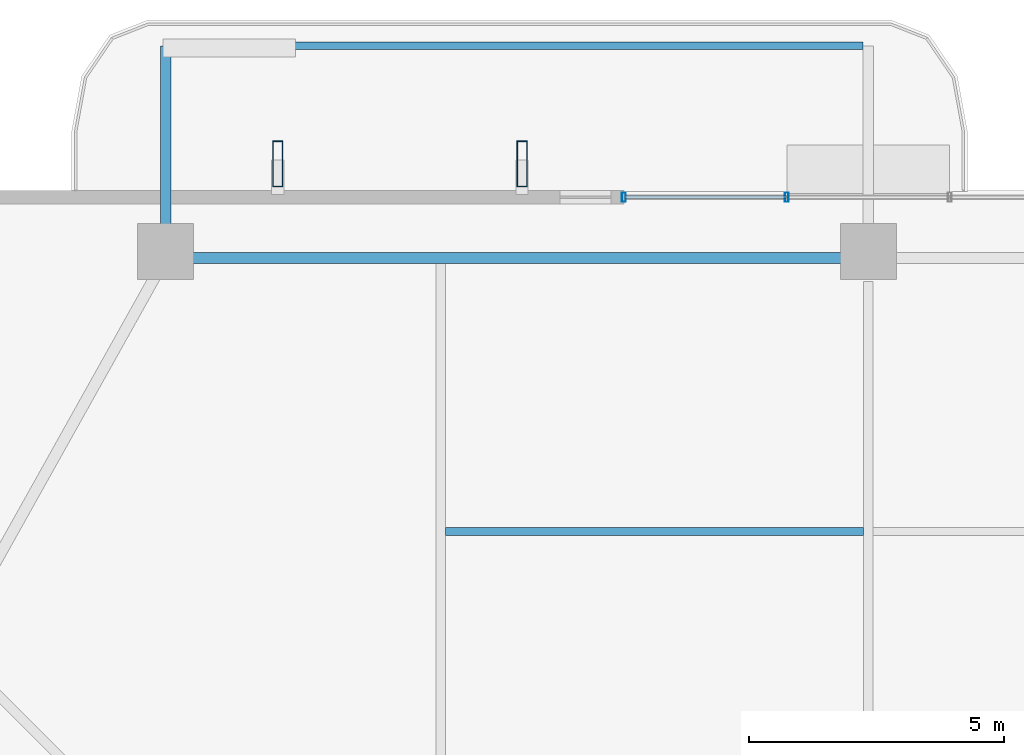
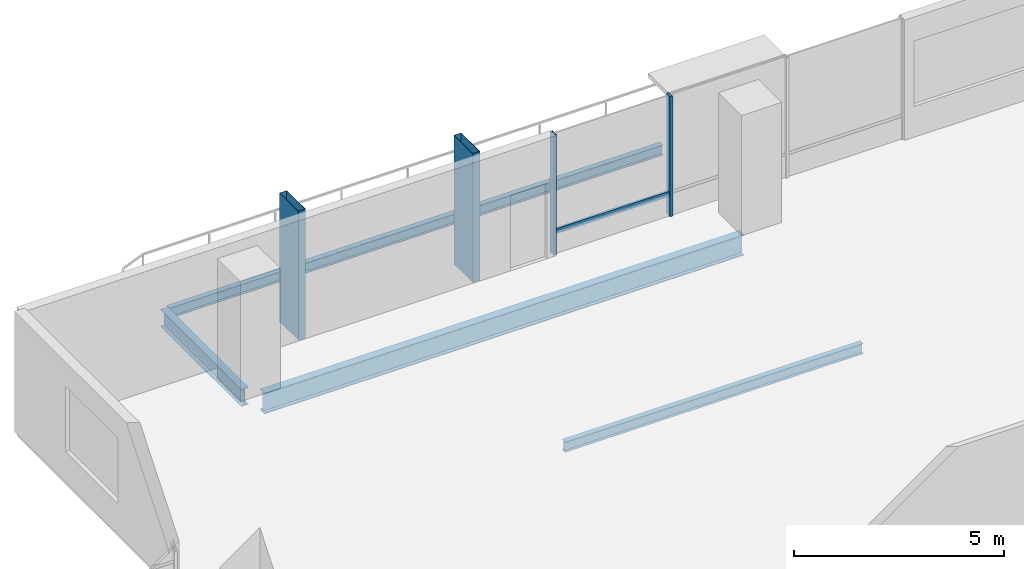
# One storey, part 15 of 29: 5 members, 4 beams, 1 element without a shape of its own.
"""IFC4 building model written with IfcOpenShell, lengths in metres."""

from ifc_helpers import new_model, si_unit, direction, frame, origin, origin_2d, place, context, subcontext, project, spatial, hollow_rectangle, i_section, extrude, material, layer, layer_set, material_profile, profile_set, type_object, element, aggregate, save


model = new_model("IFC4")

# Units and contexts
model_context = context("Model", 3, precision=1e-05, world=origin(), true_north=direction((0.0, 1.0)))
body_context = subcontext(model_context, "Body", "Model", "MODEL_VIEW")
ifc_project = project(units=[si_unit("LENGTHUNIT", "METRE"), si_unit("AREAUNIT", "SQUARE_METRE"), si_unit("VOLUMEUNIT", "CUBIC_METRE"), si_unit("PLANEANGLEUNIT", "RADIAN"), si_unit("MASSUNIT", "GRAM", prefix="KILO")], contexts=[model_context])

# Site, building, storey
site_placement = place(None, origin())
site = spatial("IfcSite", under=ifc_project, at=site_placement, CompositionType="ELEMENT")
building_placement = place(site_placement, origin())
building = spatial("IfcBuilding", under=site, at=building_placement, Name="Belovzor Exchange Tower", CompositionType="ELEMENT")
storey_placement = place(building_placement, frame((0.0, 0.0, 199.949951171875)))
storey = spatial("IfcBuildingStorey", under=building, at=storey_placement, Name="L49", CompositionType="ELEMENT", Elevation=199.949951171875)

# Beams
ifc_material_1 = material(Name="Steel S355", Category="steel")
ifc_material_profile_1 = material_profile(ifc_material_1, i_section(OverallWidth=0.199951171875, OverallDepth=0.5, WebThickness=0.01025390625, FlangeThickness=0.01611328125, at=origin_2d()))
ifc_profile_set_1 = profile_set([ifc_material_profile_1], Name="Steel S355")
beam_type_1 = type_object("IfcBeamType", Name="Planted Balcony Cantilever Beam IPE 500", PredefinedType="BEAM", material=ifc_profile_set_1)
beam_1_placement = place(storey_placement, frame((15.0, 54.791015625, -0.5), z_axis=(0.0, 1.0, 0.0), x_axis=(-1.0, 0.0, 0.0)))
element("IfcBeam", 1, at=beam_1_placement, inside=storey, type_object=beam_type_1, Name="BC-500 Planted Balcony Cantilever Beam IPE 500", PredefinedType="BEAM", context=body_context, shape_type="SweptSolid", body=[
    extrude(i_section(OverallWidth=0.199951171875, OverallDepth=0.5, WebThickness=0.01025390625, FlangeThickness=0.01611328125, at=origin_2d()), origin(), (0.0, 0.0, 1.0), 3.85009765625),
])
ifc_material_2 = material(Name="Steel S355", Category="steel")
ifc_material_profile_2 = material_profile(ifc_material_2, i_section(OverallWidth=0.14990234375, OverallDepth=0.300048828125, WebThickness=0.007080078125, FlangeThickness=0.0107421875, at=origin_2d()))
ifc_profile_set_2 = profile_set([ifc_material_profile_2], Name="Steel S355")
beam_type_2 = type_object("IfcBeamType", Name="Planted Balcony Fascia Edge Beam IPE 300", PredefinedType="BEAM", material=ifc_profile_set_2)
beam_2_placement = place(storey_placement, frame((28.699951171875, 58.64111328125, -0.39990234375), z_axis=(-1.0, 0.0, 0.0), x_axis=(0.0, -1.0, 0.0)))
element("IfcBeam", 2, at=beam_2_placement, inside=storey, type_object=beam_type_2, Name="BC-300 Planted Balcony Fascia Edge Beam IPE 300", PredefinedType="BEAM", context=body_context, shape_type="SweptSolid", body=[
    extrude(i_section(OverallWidth=0.14990234375, OverallDepth=0.300048828125, WebThickness=0.007080078125, FlangeThickness=0.0107421875, at=origin_2d()), origin(), (0.0, 0.0, 1.0), 13.599853515625),
])
ifc_material_3 = material(Name="Steel S355", Category="steel")
ifc_material_profile_3 = material_profile(ifc_material_3, i_section(OverallWidth=0.14990234375, OverallDepth=0.300048828125, WebThickness=0.007080078125, FlangeThickness=0.0107421875, at=origin_2d()))
ifc_profile_set_3 = profile_set([ifc_material_profile_3], Name="Steel S355")
beam_type_3 = type_object("IfcBeamType", Name="Secondary Trim Floor Joist IPE 300", PredefinedType="BEAM", material=ifc_profile_set_3)
beam_3_placement = place(storey_placement, frame((20.4951171875, 49.10400390625, -0.39990234375), z_axis=(1.0, 0.0, 0.0), x_axis=(0.0, 1.0, 0.0)))
element("IfcBeam", 3, at=beam_3_placement, inside=storey, type_object=beam_type_3, Name="FJ-300 Secondary Trim Floor Joist IPE 300", PredefinedType="BEAM", context=body_context, shape_type="SweptSolid", body=[
    extrude(i_section(OverallWidth=0.14990234375, OverallDepth=0.300048828125, WebThickness=0.007080078125, FlangeThickness=0.0107421875, at=origin_2d()), origin(), (0.0, 0.0, 1.0), 8.2099609375),
])

# Members
ifc_material_4 = material(Name="Extruded Architectural Terracotta on Steel S355 Carrier", Category="masonry")
ifc_material_profile_4 = material_profile(ifc_material_4, hollow_rectangle(XDim=0.199951171875, YDim=0.89990234375, WallThickness=0.011962890625, at=origin_2d()))
ifc_profile_set_4 = profile_set([ifc_material_profile_4], Name="Extruded Architectural Terracotta on Steel S355 Carrier")
member_type_1 = type_object("IfcMemberType", Name="Sweeping Terracotta Baguette Fin Assembly 950", PredefinedType="USERDEFINED", material=ifc_profile_set_4)
for number, where, z_axis, x_axis, name in (
    (4, (17.199951171875, 56.324951171875, -0.25), (0.0, 0.0, 1.0), (1.0, 0.0, 0.0), "FIN-TC095 Terracotta Facade Fin L49 N1"),
    (5, (22.0, 56.324951171875, -0.25), (0.0, 0.0, 1.0), (1.0, 0.0, 0.0), "FIN-TC095 Terracotta Facade Fin L49 N2"),
):
    element("IfcMember", number, at=place(storey_placement, frame(where, z_axis=z_axis, x_axis=x_axis)), inside=storey, type_object=member_type_1, Name=name, ObjectType="FIN", PredefinedType="USERDEFINED", context=body_context, shape_type="SweptSolid", body=[
        extrude(hollow_rectangle(XDim=0.199951171875, YDim=0.89990234375, WallThickness=0.011962890625, at=origin_2d()), origin(), (0.0, 0.0, 1.0), 3.75),
    ])

# Curtain wall, members
ifc_material_5 = material(Name="Anodised Aluminium Framing", Category="aluminium")
ifc_layer = layer(ifc_material_5, 0.179931640625)
ifc_layer_set = layer_set([ifc_layer], Name="Anodised Aluminium Framing")
curtain_wall_type = type_object("IfcCurtainWallType", Name="Recessed Loggia Low-Iron Triple-Glazed Curtain Wall", PredefinedType="NOTDEFINED", material=ifc_layer_set)
curtain_wall_placement = place(storey_placement, origin())
curtain_wall = element("IfcCurtainWall", 6, at=curtain_wall_placement, inside=storey, type_object=curtain_wall_type, Name="CW3 Recessed Loggia Low-Iron Triple-Glazed Curtain Wall L49", PredefinedType="NOTDEFINED")
ifc_material_6 = material(Name="Steel S355", Category="steel")
ifc_material_profile_5 = material_profile(ifc_material_6, hollow_rectangle(XDim=0.074951171875, YDim=0.179931640625, WallThickness=0.0048828125, at=origin_2d()))
ifc_profile_set_5 = profile_set([ifc_material_profile_5], Name="Steel S355")
member_type_2 = type_object("IfcMemberType", Name="Thermally Broken Curtain Wall Mullion 180x75", PredefinedType="MULLION", material=ifc_profile_set_5)
member_1_placement = place(storey_placement, frame((24.0, 55.669921875, 0.0), z_axis=(0.0, 0.0, 1.0), x_axis=(1.0, 0.0, 0.0)))
member_1 = element("IfcMember", 7, at=member_1_placement, type_object=member_type_2, Name="CW-M180 Curtain Wall Mullion 1", PredefinedType="MULLION", context=body_context, shape_type="SweptSolid", body=[
    extrude(hollow_rectangle(XDim=0.074951171875, YDim=0.179931640625, WallThickness=0.0048828125, at=origin_2d()), origin(), (0.0, 0.0, 1.0), 3.5),
])
member_2_placement = place(storey_placement, frame((27.199951171875, 55.669921875, 0.0), z_axis=(0.0, 0.0, 1.0), x_axis=(1.0, 0.0, 0.0)))
member_2 = element("IfcMember", 8, at=member_2_placement, type_object=member_type_2, Name="CW-M180 Curtain Wall Mullion 2", PredefinedType="MULLION", context=body_context, shape_type="SweptSolid", body=[
    extrude(hollow_rectangle(XDim=0.074951171875, YDim=0.179931640625, WallThickness=0.0048828125, at=origin_2d()), origin(), (0.0, 0.0, 1.0), 3.5),
])
ifc_material_7 = material(Name="Steel S355", Category="steel")
ifc_material_profile_6 = material_profile(ifc_material_7, hollow_rectangle(XDim=0.06005859375, YDim=0.14990234375, WallThickness=0.00390625, at=origin_2d()))
ifc_profile_set_6 = profile_set([ifc_material_profile_6], Name="Steel S355")
member_type_3 = type_object("IfcMemberType", Name="Thermally Broken Curtain Wall Transom 150x60", PredefinedType="USERDEFINED", material=ifc_profile_set_6)
member_3_placement = place(storey_placement, frame((24.008056640625, 55.669921875, 0.630126953125), z_axis=(1.0, 0.0, 0.0), x_axis=(0.0, 1.0, 0.0)))
member_3 = element("IfcMember", 9, at=member_3_placement, type_object=member_type_3, Name="CW-T150 Curtain Wall Transom 1", ObjectType="TRANSOM", PredefinedType="USERDEFINED", context=body_context, shape_type="SweptSolid", body=[
    extrude(hollow_rectangle(XDim=0.06005859375, YDim=0.14990234375, WallThickness=0.00390625, at=origin_2d()), origin(), (0.0, 0.0, 1.0), 3.183837890625),
])
aggregate(curtain_wall, [member_1, member_2, member_3])

# Beam
ifc_material_8 = material(Name="Steel S355", Category="steel")
ifc_material_profile_7 = material_profile(ifc_material_8, i_section(OverallWidth=0.219970703125, OverallDepth=0.60009765625, WebThickness=0.011962890625, FlangeThickness=0.01904296875, at=origin_2d()))
ifc_profile_set_7 = profile_set([ifc_material_profile_7], Name="Steel S355")
beam_type_4 = type_object("IfcBeamType", Name="Zone 4 Flare Primary Girder IPE 600", PredefinedType="BEAM", material=ifc_profile_set_7)
beam_4_placement = place(storey_placement, frame((28.498046875, 54.47802734375, -0.550048828125), z_axis=(-1.0, 0.0, 0.0), x_axis=(0.0, -1.0, 0.0)))
element("IfcBeam", 10, at=beam_4_placement, inside=storey, type_object=beam_type_4, Name="FG-Z4 Zone 4 Flare Primary Girder IPE 600", PredefinedType="BEAM", context=body_context, shape_type="SweptSolid", body=[
    extrude(i_section(OverallWidth=0.219970703125, OverallDepth=0.60009765625, WebThickness=0.011962890625, FlangeThickness=0.01904296875, at=origin_2d()), origin(), (0.0, 0.0, 1.0), 13.195068359375),
])

save(model, "model.ifc")
